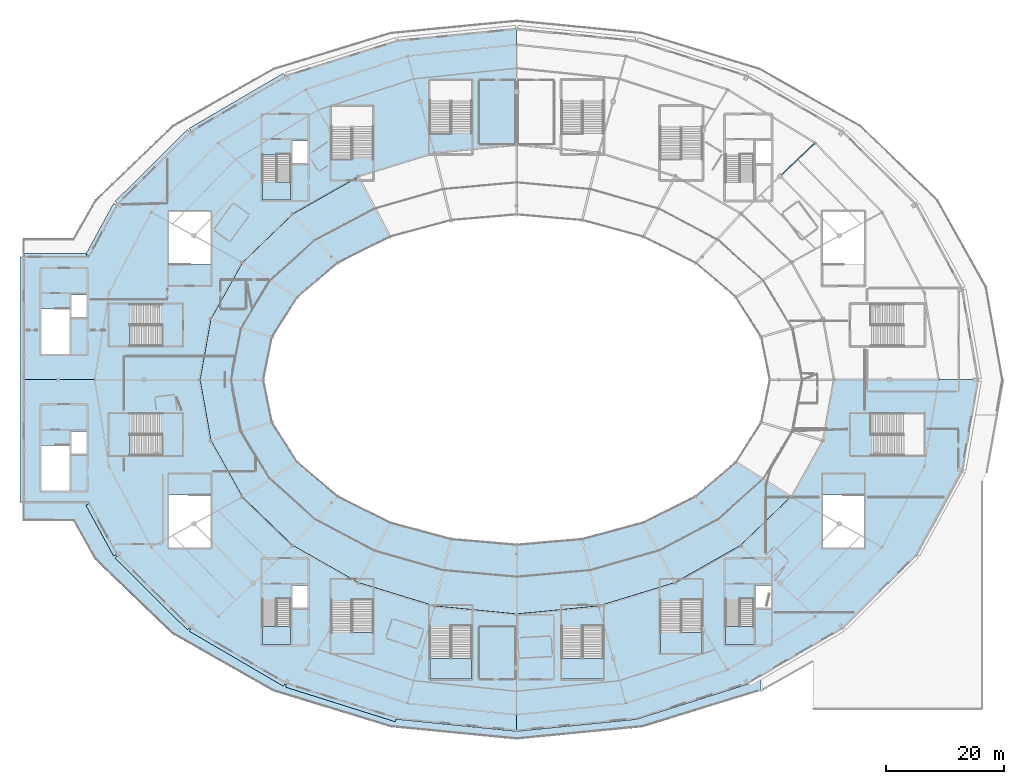
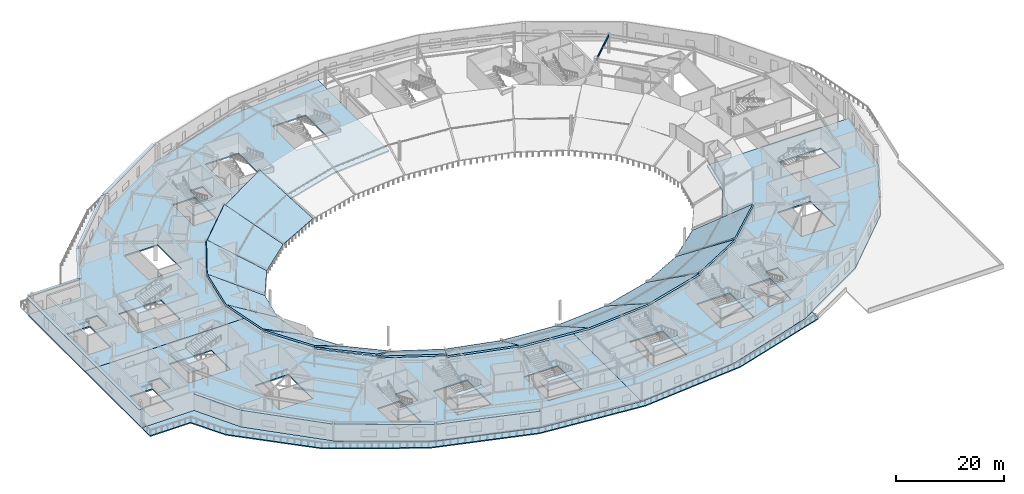
# One storey, part 16 of 63: 27 slabs, 9 plates, 1 beam, 9 elements without a shape of their own.
"""IFC4 building model written with IfcOpenShell, lengths in metres."""

from ifc_helpers import new_model, si_unit, direction, frame, origin, origin_2d, place, context, subcontext, project, spatial, polyline, rectangle, i_section, outline, extrude, material, layer, layer_set, material_profile, profile_set, type_object, element, aggregate, save


model = new_model("IFC4")

# Units and contexts
model_context = context("Model", 3, precision=1e-05, world=origin(), true_north=direction((0.0, 1.0)))
body_context = subcontext(model_context, "Body", "Model", "MODEL_VIEW")
ifc_project = project(units=[si_unit("LENGTHUNIT", "METRE"), si_unit("AREAUNIT", "SQUARE_METRE"), si_unit("VOLUMEUNIT", "CUBIC_METRE"), si_unit("PLANEANGLEUNIT", "RADIAN"), si_unit("MASSUNIT", "GRAM", prefix="KILO")], contexts=[model_context])

# Site, building, storey
site_placement = place(None, origin())
site = spatial("IfcSite", under=ifc_project, at=site_placement, CompositionType="ELEMENT")
building_placement = place(site_placement, origin())
building = spatial("IfcBuilding", under=site, at=building_placement, Name="Kalgoora Escarpment Arena", CompositionType="ELEMENT")
storey_placement = place(building_placement, frame((0.0, 0.0, 14.39990234375)))
storey = spatial("IfcBuildingStorey", under=building, at=storey_placement, Name="L03", CompositionType="ELEMENT", Elevation=14.39990234375)

# Beam
ifc_material_1 = material(Name="Structural steel AS/NZS 3679 (300 MPa)", Category="steel")
ifc_material_profile = material_profile(ifc_material_1, i_section(OverallWidth=0.19091796875, OverallDepth=0.4599609375, WebThickness=0.010009765625, FlangeThickness=0.01611328125, at=origin_2d()))
ifc_profile_set = profile_set([ifc_material_profile], Name="Structural steel AS/NZS 3679 (300 MPa)")
beam_type = type_object("IfcBeamType", Name="BM-GIRDER-460UB82.1", PredefinedType="USERDEFINED", material=ifc_profile_set)
beam_placement = place(storey_placement, frame((137.230712890625, 98.648193359375, 3.97021484375), z_axis=(0.724130144905, 0.689663347757, 0.0), x_axis=(-0.689663347757, 0.724130144905, 0.0)))
element("IfcBeam", 1, at=beam_placement, inside=storey, type_object=beam_type, Name="L03 Radial concourse girder 460UB82.1", ObjectType="GIRDER", PredefinedType="USERDEFINED", context=body_context, shape_type="SweptSolid", body=[
    extrude(i_section(OverallWidth=0.19091796875, OverallDepth=0.4599609375, WebThickness=0.010009765625, FlangeThickness=0.01611328125, at=origin_2d()), origin(), (0.0, 0.0, 1.0), 8.20263671875),
])

# Plates
ifc_material_2 = material(Name="Champagne anodised Art Deco solar brise-soleil hood", Category="aluminium")
ifc_layer_1 = layer(ifc_material_2, 0.1201171875)
ifc_layer_set_1 = layer_set([ifc_layer_1], Name="PLT-DECO-EYEBROW")
plate_type = type_object("IfcPlateType", Name="PLT-DECO-EYEBROW", PredefinedType="SHEET", material=ifc_layer_set_1)
plate_1_placement = place(storey_placement, frame((13.9423828125, 85.135009765625, 3.97998046875), z_axis=(0.0, 0.0, 1.0), x_axis=(1.0, 0.0, 0.0)))
element("IfcPlate", 2, at=plate_1_placement, inside=storey, type_object=plate_type, Name="L03 Art Deco horizontal solar brise-soleil eyebrow 054", PredefinedType="SHEET", context=body_context, shape_type="SweptSolid", body=[
    extrude(rectangle(XDim=10.784912109375, YDim=0.719970703125, at=origin_2d()), origin(), (0.0, 0.0, 1.0), 0.1201171875),
])
plate_2_placement = place(storey_placement, frame((21.7890625, 89.514404296875, 3.97998046875), z_axis=(0.0, 0.0, 1.0), x_axis=(0.478232081533, 0.878233497535, 0.0)))
element("IfcPlate", 3, at=plate_2_placement, inside=storey, type_object=plate_type, Name="L03 Art Deco horizontal solar brise-soleil eyebrow 055", PredefinedType="SHEET", context=body_context, shape_type="SweptSolid", body=[
    extrude(rectangle(XDim=9.833984375, YDim=0.719970703125, at=origin_2d()), origin(), (0.0, 0.0, 1.0), 0.1201171875),
])
plate_3_placement = place(storey_placement, frame((30.48095703125, 100.1884765625, 3.97998046875), z_axis=(0.0, 0.0, 1.0), x_axis=(0.710062491058, 0.704138664464, 0.0)))
element("IfcPlate", 4, at=plate_3_placement, inside=storey, type_object=plate_type, Name="L03 Art Deco horizontal solar brise-soleil eyebrow 056", PredefinedType="SHEET", context=body_context, shape_type="SweptSolid", body=[
    extrude(rectangle(XDim=17.2900390625, YDim=0.719970703125, at=origin_2d()), origin(), (0.0, 0.0, 1.0), 0.1201171875),
])
plate_4_placement = place(storey_placement, frame((44.892578125, 111.1533203125, 3.97998046875), z_axis=(0.0, 0.0, 1.0), x_axis=(0.863571611366, 0.504226211181, 0.0)))
element("IfcPlate", 5, at=plate_4_placement, inside=storey, type_object=plate_type, Name="L03 Art Deco horizontal solar brise-soleil eyebrow 057", PredefinedType="SHEET", context=body_context, shape_type="SweptSolid", body=[
    extrude(rectangle(XDim=18.550048828125, YDim=0.719970703125, at=origin_2d()), origin(), (0.0, 0.0, 1.0), 0.1201171875),
])
plate_5_placement = place(storey_placement, frame((62.537841796875, 9.095947265625, 3.97998046875), z_axis=(0.0, 0.0, 1.0), x_axis=(-0.953769419285, 0.300539339916, 0.0)))
element("IfcPlate", 6, at=plate_5_placement, inside=storey, type_object=plate_type, Name="L03 Art Deco horizontal solar brise-soleil eyebrow 073", PredefinedType="SHEET", context=body_context, shape_type="SweptSolid", body=[
    extrude(rectangle(XDim=19.575927734375, YDim=0.719970703125, at=origin_2d()), origin(), (0.0, 0.0, 1.0), 0.1201171875),
])
plate_6_placement = place(storey_placement, frame((44.892578125, 16.8466796875, 3.97998046875), z_axis=(0.0, 0.0, 1.0), x_axis=(-0.863571611366, 0.504226211181, 0.0)))
element("IfcPlate", 7, at=plate_6_placement, inside=storey, type_object=plate_type, Name="L03 Art Deco horizontal solar brise-soleil eyebrow 074", PredefinedType="SHEET", context=body_context, shape_type="SweptSolid", body=[
    extrude(rectangle(XDim=18.550048828125, YDim=0.719970703125, at=origin_2d()), origin(), (0.0, 0.0, 1.0), 0.1201171875),
])
plate_7_placement = place(storey_placement, frame((30.48095703125, 27.8115234375, 3.97998046875), z_axis=(0.0, 0.0, 1.0), x_axis=(-0.710062491058, 0.704138664464, 0.0)))
element("IfcPlate", 8, at=plate_7_placement, inside=storey, type_object=plate_type, Name="L03 Art Deco horizontal solar brise-soleil eyebrow 075", PredefinedType="SHEET", context=body_context, shape_type="SweptSolid", body=[
    extrude(rectangle(XDim=17.2900390625, YDim=0.719970703125, at=origin_2d()), origin(), (0.0, 0.0, 1.0), 0.1201171875),
])
plate_8_placement = place(storey_placement, frame((21.7890625, 38.485595703125, 3.97998046875), z_axis=(0.0, 0.0, 1.0), x_axis=(-0.478232081533, 0.878233497535, 0.0)))
element("IfcPlate", 9, at=plate_8_placement, inside=storey, type_object=plate_type, Name="L03 Art Deco horizontal solar brise-soleil eyebrow 076", PredefinedType="SHEET", context=body_context, shape_type="SweptSolid", body=[
    extrude(rectangle(XDim=9.833984375, YDim=0.719970703125, at=origin_2d()), origin(), (0.0, 0.0, 1.0), 0.1201171875),
])
plate_9_placement = place(storey_placement, frame((8.264892578125, 64.0, 3.97998046875), z_axis=(0.0, 0.0, 1.0), x_axis=(0.0, 1.0, 0.0)))
element("IfcPlate", 10, at=plate_9_placement, inside=storey, type_object=plate_type, Name="L03 Art Deco horizontal solar brise-soleil eyebrow 078", PredefinedType="SHEET", context=body_context, shape_type="SweptSolid", body=[
    extrude(rectangle(XDim=41.699951171875, YDim=0.719970703125, at=origin_2d()), origin(), (0.0, 0.0, 1.0), 0.1201171875),
])

# Slabs
ifc_material_3 = material(Name="Concrete N40 (fc' 40 MPa)", Category="concrete")
ifc_layer_2 = layer(ifc_material_3, 0.280029296875)
ifc_layer_set_2 = layer_set([ifc_layer_2], Name="SLB-CONC-280")
slab_type_1 = type_object("IfcSlabType", Name="SLB-CONC-280", PredefinedType="FLOOR", material=ifc_layer_set_2)
slab_1_placement = place(storey_placement, frame((0.0, 0.0, -0.27978515625)))
element("IfcSlab", 11, at=slab_1_placement, inside=storey, type_object=slab_type_1, Name="L03 concourse ring SW floor slab", PredefinedType="FLOOR", context=body_context, shape_type="SweptSolid", body=[
    extrude(outline(polyline([(72.056884765625, 6.237548828125), (53.10009765625, 12.211669921875), (36.8212890625, 21.715087890625), (24.330322265625, 34.10009765625), (19.48486328125, 43.0), (8.39990234375, 43.0), (8.39990234375, 64.0), (44.0, 64.0), (45.649169921875, 55.35546875), (50.484375, 47.300048828125), (58.176025390625, 40.382568359375), (68.199951171875, 35.07470703125), (79.873291015625, 31.738037109375), (92.39990234375, 30.60009765625), (92.39990234375, 4.199951171875), (72.056884765625, 6.237548828125)]), holes=[polyline([(60.85009765625, 26.35009765625), (60.85009765625, 17.449951171875), (67.949951171875, 17.449951171875), (67.949951171875, 26.35009765625), (60.85009765625, 26.35009765625)]), polyline([(53.949951171875, 26.64990234375), (49.14990234375, 26.64990234375), (49.14990234375, 18.949951171875), (53.949951171875, 18.949951171875), (53.949951171875, 26.64990234375)]), polyline([(56.85009765625, 29.0), (54.25, 29.0), (54.25, 25.199951171875), (56.85009765625, 25.199951171875), (56.85009765625, 29.0)]), polyline([(40.35009765625, 44.35009765625), (33.25, 44.35009765625), (33.25, 35.449951171875), (40.35009765625, 35.449951171875), (40.35009765625, 44.35009765625)]), polyline([(16.35009765625, 52.85009765625), (11.550048828125, 52.85009765625), (11.550048828125, 45.14990234375), (16.35009765625, 45.14990234375), (16.35009765625, 52.85009765625)]), polyline([(19.25, 55.199951171875), (16.64990234375, 55.199951171875), (16.64990234375, 51.39990234375), (19.25, 51.39990234375), (19.25, 55.199951171875)]), polyline([(31.949951171875, 58.25), (23.050048828125, 58.25), (23.050048828125, 51.14990234375), (31.949951171875, 51.14990234375), (31.949951171875, 58.25)]), polyline([(77.64990234375, 21.949951171875), (77.64990234375, 13.050048828125), (84.75, 13.050048828125), (84.75, 21.949951171875), (77.64990234375, 21.949951171875)])]), origin(), (0.0, 0.0, 1.0), 0.27978515625),
])
ifc_material_4 = material(Name="Concrete N50 (fc' 50 MPa)", Category="concrete")
ifc_layer_3 = layer(ifc_material_4, 0.31005859375)
ifc_layer_set_3 = layer_set([ifc_layer_3], Name="SLB-SKY-310")
slab_type_2 = type_object("IfcSlabType", Name="SLB-SKY-310", PredefinedType="FLOOR", material=ifc_layer_set_3)
slab_2_placement = place(storey_placement, frame((0.0, 0.0, -0.309814453125)))
element("IfcSlab", 12, at=slab_2_placement, inside=storey, type_object=slab_type_2, Name="L03 concourse ring NW floor slab", PredefinedType="FLOOR", context=body_context, shape_type="SweptSolid", body=[
    extrude(outline(polyline([(24.330322265625, 93.89990234375), (36.8212890625, 106.284912109375), (53.10009765625, 115.788330078125), (72.056884765625, 121.762451171875), (92.39990234375, 123.800048828125), (92.39990234375, 97.39990234375), (79.873291015625, 96.261962890625), (68.199951171875, 92.92529296875), (58.176025390625, 87.617431640625), (50.484375, 80.699951171875), (45.649169921875, 72.64453125), (44.0, 64.0), (8.39990234375, 64.0), (8.39990234375, 85.0), (19.48486328125, 85.0), (24.330322265625, 93.89990234375)]), holes=[polyline([(11.550048828125, 76.050048828125), (11.550048828125, 68.35009765625), (16.35009765625, 68.35009765625), (16.35009765625, 76.050048828125), (11.550048828125, 76.050048828125)]), polyline([(31.949951171875, 76.85009765625), (23.050048828125, 76.85009765625), (23.050048828125, 69.75), (31.949951171875, 69.75), (31.949951171875, 76.85009765625)]), polyline([(19.25, 78.39990234375), (16.64990234375, 78.39990234375), (16.64990234375, 74.60009765625), (19.25, 74.60009765625), (19.25, 78.39990234375)]), polyline([(40.35009765625, 92.550048828125), (33.25, 92.550048828125), (33.25, 83.64990234375), (40.35009765625, 83.64990234375), (40.35009765625, 92.550048828125)]), polyline([(53.949951171875, 102.25), (49.14990234375, 102.25), (49.14990234375, 94.550048828125), (53.949951171875, 94.550048828125), (53.949951171875, 102.25)]), polyline([(56.85009765625, 104.60009765625), (54.25, 104.60009765625), (54.25, 100.800048828125), (56.85009765625, 100.800048828125), (56.85009765625, 104.60009765625)]), polyline([(67.949951171875, 110.550048828125), (60.85009765625, 110.550048828125), (60.85009765625, 101.64990234375), (67.949951171875, 101.64990234375), (67.949951171875, 110.550048828125)]), polyline([(84.75, 114.949951171875), (77.64990234375, 114.949951171875), (77.64990234375, 106.050048828125), (84.75, 106.050048828125), (84.75, 114.949951171875)])]), origin(), (0.0, 0.0, 1.0), 0.309814453125),
])
ifc_material_5 = material(Name="Concrete N50 (fc' 50 MPa)", Category="concrete")
ifc_layer_4 = layer(ifc_material_5, 0.320068359375)
ifc_layer_set_4 = layer_set([ifc_layer_4], Name="SLB-SKY-320")
slab_type_3 = type_object("IfcSlabType", Name="SLB-SKY-320", PredefinedType="FLOOR", material=ifc_layer_set_4)
slab_3_placement = place(storey_placement, frame((0.0, 0.0, -0.31982421875)))
element("IfcSlab", 13, at=slab_3_placement, inside=storey, type_object=slab_type_3, Name="L03 concourse ring SE floor slab", PredefinedType="FLOOR", context=body_context, shape_type="SweptSolid", body=[
    extrude(outline(polyline([(168.32177734375, 48.522705078125), (160.469482421875, 34.10009765625), (147.978515625, 21.715087890625), (131.699951171875, 12.211669921875), (112.7431640625, 6.237548828125), (92.39990234375, 4.199951171875), (92.39990234375, 30.60009765625), (104.9267578125, 31.738037109375), (116.60009765625, 35.07470703125), (126.6240234375, 40.382568359375), (134.315673828125, 47.300048828125), (139.15087890625, 55.35546875), (140.800048828125, 64.0), (171.0, 64.0), (168.32177734375, 48.522705078125)]), holes=[polyline([(107.14990234375, 21.949951171875), (100.050048828125, 21.949951171875), (100.050048828125, 13.050048828125), (107.14990234375, 13.050048828125), (107.14990234375, 21.949951171875)]), polyline([(123.949951171875, 26.35009765625), (116.85009765625, 26.35009765625), (116.85009765625, 17.449951171875), (123.949951171875, 17.449951171875), (123.949951171875, 26.35009765625)]), polyline([(132.75, 26.64990234375), (127.949951171875, 26.64990234375), (127.949951171875, 18.949951171875), (132.75, 18.949951171875), (132.75, 26.64990234375)]), polyline([(135.64990234375, 29.0), (133.050048828125, 29.0), (133.050048828125, 25.199951171875), (135.64990234375, 25.199951171875), (135.64990234375, 29.0)]), polyline([(151.550048828125, 44.35009765625), (144.449951171875, 44.35009765625), (144.449951171875, 35.449951171875), (151.550048828125, 35.449951171875), (151.550048828125, 44.35009765625)]), polyline([(161.75, 58.25), (152.85009765625, 58.25), (152.85009765625, 51.14990234375), (161.75, 51.14990234375), (161.75, 58.25)])]), origin(), (0.0, 0.0, 1.0), 0.31982421875),
])

# Stair, slab
ifc_material_6 = material(Name="Concrete N40 (fc' 40 MPa)", Category="concrete")
stair_type_1 = type_object("IfcStairType", Name="STR-EXIT-3", PredefinedType="HALF_TURN_STAIR", material=ifc_material_6)
stair_1_placement = place(storey_placement, origin())
stair_1 = element("IfcStair", 14, at=stair_1_placement, inside=storey, type_object=stair_type_1, Name="Fire-isolated exit stair ST03 (L03)", PredefinedType="HALF_TURN_STAIR")
ifc_material_7 = material(Name="Concrete N40 (fc' 40 MPa)", Category="concrete")
ifc_layer_5 = layer(ifc_material_7, 0.219970703125)
ifc_layer_set_5 = layer_set([ifc_layer_5], Name="SLB-ST-LAND-220")
slab_type_4 = type_object("IfcSlabType", Name="SLB-ST-LAND-220", PredefinedType="LANDING", material=ifc_layer_set_5)
slab_4_placement = place(storey_placement, frame((0.0, 0.0, 2.030029296875)))
slab_4 = element("IfcSlab", 15, at=slab_4_placement, type_object=slab_type_4, Name="ST03 L03 half-landing", PredefinedType="LANDING", context=body_context, shape_type="SweptSolid", body=[
    extrude(outline(polyline([(53.949951171875, 97.639892578125), (53.949951171875, 94.550048828125), (49.14990234375, 94.550048828125), (49.14990234375, 97.639892578125), (53.949951171875, 97.639892578125)])), origin(), (0.0, 0.0, 1.0), 0.219970703125),
])
aggregate(stair_1, [slab_4])

ifc_material_8 = material(Name="Concrete N40 (fc' 40 MPa)", Category="concrete")
stair_type_2 = type_object("IfcStairType", Name="STR-EXIT-1", PredefinedType="HALF_TURN_STAIR", material=ifc_material_8)
stair_2_placement = place(storey_placement, origin())
stair_2 = element("IfcStair", 16, at=stair_2_placement, inside=storey, type_object=stair_type_2, Name="Fire-isolated exit stair ST05 (L03)", PredefinedType="HALF_TURN_STAIR")
slab_5_placement = place(storey_placement, frame((0.0, 0.0, 2.030029296875)))
slab_5 = element("IfcSlab", 17, at=slab_5_placement, type_object=slab_type_4, Name="ST05 L03 half-landing", PredefinedType="LANDING", context=body_context, shape_type="SweptSolid", body=[
    extrude(outline(polyline([(53.949951171875, 22.0400390625), (53.949951171875, 18.949951171875), (49.14990234375, 18.949951171875), (49.14990234375, 22.0400390625), (53.949951171875, 22.0400390625)])), origin(), (0.0, 0.0, 1.0), 0.219970703125),
])
aggregate(stair_2, [slab_5])

ifc_material_9 = material(Name="Concrete N40 (fc' 40 MPa)", Category="concrete")
stair_type_3 = type_object("IfcStairType", Name="STR-EXIT-2", PredefinedType="HALF_TURN_STAIR", material=ifc_material_9)
stair_3_placement = place(storey_placement, origin())
stair_3 = element("IfcStair", 18, at=stair_3_placement, inside=storey, type_object=stair_type_3, Name="Fire-isolated exit stair ST06 (L03)", PredefinedType="HALF_TURN_STAIR")
slab_6_placement = place(storey_placement, frame((0.0, 0.0, 2.030029296875)))
slab_6 = element("IfcSlab", 19, at=slab_6_placement, type_object=slab_type_4, Name="ST06 L03 half-landing", PredefinedType="LANDING", context=body_context, shape_type="SweptSolid", body=[
    extrude(outline(polyline([(132.75, 22.0400390625), (132.75, 18.949951171875), (127.949951171875, 18.949951171875), (127.949951171875, 22.0400390625), (132.75, 22.0400390625)])), origin(), (0.0, 0.0, 1.0), 0.219970703125),
])
aggregate(stair_3, [slab_6])

ifc_material_10 = material(Name="Precast concrete N50 (fc' 50 MPa)", Category="concrete")
stair_type_4 = type_object("IfcStairType", Name="STR-STAD-1", PredefinedType="HALF_TURN_STAIR", material=ifc_material_10)
stair_4_placement = place(storey_placement, origin())
stair_4 = element("IfcStair", 20, at=stair_4_placement, inside=storey, type_object=stair_type_4, Name="Fire-isolated exit stair ST13 (L03)", PredefinedType="HALF_TURN_STAIR")
slab_7_placement = place(storey_placement, frame((0.0, 0.0, 2.030029296875)))
slab_7 = element("IfcSlab", 21, at=slab_7_placement, type_object=slab_type_4, Name="ST13 L03 half-landing", PredefinedType="LANDING", context=body_context, shape_type="SweptSolid", body=[
    extrude(outline(polyline([(67.949951171875, 21.0), (67.949951171875, 17.449951171875), (60.85009765625, 17.449951171875), (60.85009765625, 21.0), (67.949951171875, 21.0)])), origin(), (0.0, 0.0, 1.0), 0.219970703125),
])
aggregate(stair_4, [slab_7])

ifc_material_11 = material(Name="Precast concrete N50 (fc' 50 MPa)", Category="concrete")
stair_type_5 = type_object("IfcStairType", Name="STR-STAD-2", PredefinedType="HALF_TURN_STAIR", material=ifc_material_11)
stair_5_placement = place(storey_placement, origin())
stair_5 = element("IfcStair", 22, at=stair_5_placement, inside=storey, type_object=stair_type_5, Name="Fire-isolated exit stair ST14 (L03)", PredefinedType="HALF_TURN_STAIR")
slab_8_placement = place(storey_placement, frame((0.0, 0.0, 2.030029296875)))
slab_8 = element("IfcSlab", 23, at=slab_8_placement, type_object=slab_type_4, Name="ST14 L03 half-landing", PredefinedType="LANDING", context=body_context, shape_type="SweptSolid", body=[
    extrude(outline(polyline([(84.75, 16.60009765625), (84.75, 13.050048828125), (77.64990234375, 13.050048828125), (77.64990234375, 16.60009765625), (84.75, 16.60009765625)])), origin(), (0.0, 0.0, 1.0), 0.219970703125),
])
aggregate(stair_5, [slab_8])

ifc_material_12 = material(Name="Precast concrete N50 (fc' 50 MPa)", Category="concrete")
stair_type_6 = type_object("IfcStairType", Name="STR-STAD-3", PredefinedType="HALF_TURN_STAIR", material=ifc_material_12)
stair_6_placement = place(storey_placement, origin())
stair_6 = element("IfcStair", 24, at=stair_6_placement, inside=storey, type_object=stair_type_6, Name="Fire-isolated exit stair ST15 (L03)", PredefinedType="HALF_TURN_STAIR")
slab_9_placement = place(storey_placement, frame((0.0, 0.0, 2.030029296875)))
slab_9 = element("IfcSlab", 25, at=slab_9_placement, type_object=slab_type_4, Name="ST15 L03 half-landing", PredefinedType="LANDING", context=body_context, shape_type="SweptSolid", body=[
    extrude(outline(polyline([(107.14990234375, 16.60009765625), (107.14990234375, 13.050048828125), (100.050048828125, 13.050048828125), (100.050048828125, 16.60009765625), (107.14990234375, 16.60009765625)])), origin(), (0.0, 0.0, 1.0), 0.219970703125),
])
aggregate(stair_6, [slab_9])

ifc_material_13 = material(Name="Precast concrete N50 (fc' 50 MPa)", Category="concrete")
stair_type_7 = type_object("IfcStairType", Name="STR-STAD-4", PredefinedType="HALF_TURN_STAIR", material=ifc_material_13)
stair_7_placement = place(storey_placement, origin())
stair_7 = element("IfcStair", 26, at=stair_7_placement, inside=storey, type_object=stair_type_7, Name="Fire-isolated exit stair ST16 (L03)", PredefinedType="HALF_TURN_STAIR")
slab_10_placement = place(storey_placement, frame((0.0, 0.0, 2.030029296875)))
slab_10 = element("IfcSlab", 27, at=slab_10_placement, type_object=slab_type_4, Name="ST16 L03 half-landing", PredefinedType="LANDING", context=body_context, shape_type="SweptSolid", body=[
    extrude(outline(polyline([(123.949951171875, 21.0), (123.949951171875, 17.449951171875), (116.85009765625, 17.449951171875), (116.85009765625, 21.0), (123.949951171875, 21.0)])), origin(), (0.0, 0.0, 1.0), 0.219970703125),
])
aggregate(stair_7, [slab_10])

stair_8_placement = place(storey_placement, origin())
stair_8 = element("IfcStair", 28, at=stair_8_placement, inside=storey, type_object=stair_type_4, Name="Fire-isolated exit stair ST17 (L03)", PredefinedType="HALF_TURN_STAIR")
slab_11_placement = place(storey_placement, frame((0.0, 0.0, 2.030029296875)))
slab_11 = element("IfcSlab", 29, at=slab_11_placement, type_object=slab_type_4, Name="ST17 L03 half-landing", PredefinedType="LANDING", context=body_context, shape_type="SweptSolid", body=[
    extrude(outline(polyline([(26.60009765625, 69.75), (23.050048828125, 69.75), (23.050048828125, 76.85009765625), (26.60009765625, 76.85009765625), (26.60009765625, 69.75)])), origin(), (0.0, 0.0, 1.0), 0.219970703125),
])
aggregate(stair_8, [slab_11])

stair_9_placement = place(storey_placement, origin())
stair_9 = element("IfcStair", 30, at=stair_9_placement, inside=storey, type_object=stair_type_5, Name="Fire-isolated exit stair ST18 (L03)", PredefinedType="HALF_TURN_STAIR")
slab_12_placement = place(storey_placement, frame((0.0, 0.0, 2.030029296875)))
slab_12 = element("IfcSlab", 31, at=slab_12_placement, type_object=slab_type_4, Name="ST18 L03 half-landing", PredefinedType="LANDING", context=body_context, shape_type="SweptSolid", body=[
    extrude(outline(polyline([(26.60009765625, 51.14990234375), (23.050048828125, 51.14990234375), (23.050048828125, 58.25), (26.60009765625, 58.25), (26.60009765625, 51.14990234375)])), origin(), (0.0, 0.0, 1.0), 0.219970703125),
])
aggregate(stair_9, [slab_12])

# Slabs
ifc_material_14 = material(Name="Concrete N40 (fc' 40 MPa)", Category="concrete")
ifc_layer_6 = layer(ifc_material_14, 0.235107421875)
ifc_layer_set_6 = layer_set([ifc_layer_6], Name="SLB-TERR-235")
slab_type_5 = type_object("IfcSlabType", Name="SLB-TERR-235", PredefinedType="FLOOR", material=ifc_layer_set_6)
slab_13_placement = place(storey_placement, frame((0.0, 0.0, -0.23486328125)))
element("IfcSlab", 32, at=slab_13_placement, inside=storey, type_object=slab_type_5, Name="L03 Upper Planted Elliptical Garden Terrace terrace slab", PredefinedType="FLOOR", context=body_context, shape_type="SweptSolid", body=[
    extrude(outline(polyline([(92.39990234375, 2.800048828125), (70.9697265625, 4.88525390625), (51.0, 10.999267578125), (33.8515625, 20.72509765625), (20.693115234375, 33.39990234375), (16.994384765625, 40.0), (8.39990234375, 40.0), (8.39990234375, 43.0), (19.48486328125, 43.0), (24.330322265625, 34.10009765625), (36.8212890625, 21.715087890625), (53.10009765625, 12.211669921875), (72.056884765625, 6.237548828125), (92.39990234375, 4.199951171875), (112.7431640625, 6.237548828125), (131.699951171875, 12.211669921875), (134.0, 13.554443359375), (134.0, 11.112548828125), (113.830078125, 4.88525390625), (92.39990234375, 2.800048828125)])), origin(), (0.0, 0.0, 1.0), 0.23486328125),
])
ifc_material_15 = material(Name="Precast concrete N50 (fc' 50 MPa)", Category="concrete")
ifc_layer_7 = layer(ifc_material_15, 0.330078125)
ifc_layer_set_7 = layer_set([ifc_layer_7], Name="SLB-TIER-UPP-A")
slab_type_6 = type_object("IfcSlabType", Name="SLB-TIER-UPP-A", PredefinedType="USERDEFINED", material=ifc_layer_set_7)
slab_14_placement = place(storey_placement, frame((70.89990234375, 88.248779296875, -2.25), z_axis=(0.221721355642, -0.443761160947, 0.868283175288), x_axis=(-0.894551195058, -0.446965501341, -5.558232e-06)))
element("IfcSlab", 33, at=slab_14_placement, inside=storey, type_object=slab_type_6, Name="Stand Upper Tier Sector 09", ObjectType="SEATING TIER", PredefinedType="USERDEFINED", context=body_context, shape_type="SweptSolid", body=[
    extrude(outline(polyline([(0.0, 0.0), (9.955306926166958, 8.881784197001252e-16), (13.073184425424751, -12.581978173739957), (0.26587615378400997, -13.36522698389748), (0.0, 0.0)])), origin(), (0.0, 0.0, -1.0), 0.330078125),
])
slab_15_placement = place(storey_placement, frame((55.160888671875, 78.0, -2.25), z_axis=(0.432439963899, -0.275067239366, 0.858681367825), x_axis=(-0.536711703686, -0.843765694439, 3.830903e-06)))
element("IfcSlab", 34, at=slab_15_placement, inside=storey, type_object=slab_type_6, Name="Stand Upper Tier Sector 11", ObjectType="SEATING TIER", PredefinedType="USERDEFINED", context=body_context, shape_type="SweptSolid", body=[
    extrude(outline(polyline([(0.0, 0.0), (8.003624340875707, -4.440892098500626e-16), (11.040561137931334, -12.21528952500925), (0.04387559789165021, -12.936644873013785), (0.0, 0.0)])), origin(), (0.0, 0.0, -1.0), 0.330078125),
])
slab_16_placement = place(storey_placement, frame((49.39990234375, 64.0, -2.25), z_axis=(0.518555592007, 0.104852018696, 0.848590685887), x_axis=(0.198191384845, -0.980163340965, -1.350412e-06)))
element("IfcSlab", 35, at=slab_16_placement, inside=storey, type_object=slab_type_6, Name="Stand Upper Tier Sector 13", ObjectType="SEATING TIER", PredefinedType="USERDEFINED", context=body_context, shape_type="SweptSolid", body=[
    extrude(outline(polyline([(0.0, 0.0), (7.393489536547766, 2.220446049250313e-16), (8.322687035439232, -12.82150085358129), (-2.1503564470286247, -12.532113623633439), (0.0, 0.0)])), origin(), (0.0, 0.0, -1.0), 0.330078125),
])
slab_17_placement = place(storey_placement, frame((55.160888671875, 50.0, -2.25), z_axis=(0.343179016823, 0.404397153582, 0.84775651256), x_axis=(0.762457207853, -0.647038643507, 1.498935e-06)))
element("IfcSlab", 36, at=slab_17_placement, inside=storey, type_object=slab_type_6, Name="Stand Upper Tier Sector 15", ObjectType="SEATING TIER", PredefinedType="USERDEFINED", context=body_context, shape_type="SweptSolid", body=[
    extrude(outline(polyline([(0.0, 0.0), (8.962472203861301, 8.881784197001252e-16), (8.534454414688422, -13.391710248476503), (-3.330671745601866, -12.500613239462993), (0.0, 0.0)])), origin(), (0.0, 0.0, -1.0), 0.330078125),
])
slab_18_placement = place(storey_placement, frame((70.89990234375, 39.751220703125, -2.25), z_axis=(0.131605442787, 0.487923983768, 0.86290798669), x_axis=(0.965498607881, -0.260408214426, -6.325601e-06)))
element("IfcSlab", 37, at=slab_18_placement, inside=storey, type_object=slab_type_6, Name="Stand Upper Tier Sector 17", ObjectType="SEATING TIER", PredefinedType="USERDEFINED", context=body_context, shape_type="SweptSolid", body=[
    extrude(outline(polyline([(0.0, 0.0), (10.74143366133796, 4.440892098500626e-16), (11.01087578793163, -13.65451505318791), (-2.565320304263464, -13.119417448753087), (0.0, 0.0)])), origin(), (0.0, 0.0, -1.0), 0.330078125),
])
slab_19_placement = place(storey_placement, frame((92.39990234375, 36.0, -2.25), z_axis=(-0.041819385281, 0.487842156523, 0.871929566727), x_axis=(0.996345579279, 0.085413620964, -2.070574e-06)))
element("IfcSlab", 38, at=slab_19_placement, inside=storey, type_object=slab_type_6, Name="Stand Upper Tier Sector 19", ObjectType="SEATING TIER", PredefinedType="USERDEFINED", context=body_context, shape_type="SweptSolid", body=[
    extrude(outline(polyline([(0.0, 0.0), (11.1702163104874, 1.1102230246251565e-16), (12.990377245897077, -13.354630258129024), (-1.0121734777592686, -13.54100818725967), (0.0, 0.0)])), origin(), (0.0, 0.0, -1.0), 0.330078125),
])
slab_20_placement = place(storey_placement, frame((113.89990234375, 39.751220703125, -2.25), z_axis=(-0.221718487734, 0.443760877699, 0.868284052382), x_axis=(0.894555429388, 0.446957026729, -2.954652e-06)))
element("IfcSlab", 39, at=slab_20_placement, inside=storey, type_object=slab_type_6, Name="Stand Upper Tier Sector 21", ObjectType="SEATING TIER", PredefinedType="USERDEFINED", context=body_context, shape_type="SweptSolid", body=[
    extrude(outline(polyline([(0.0, 0.0), (9.955525322852681, -4.440892098500626e-16), (13.073522568572612, -12.581948499475079), (0.26622175180824537, -13.365319200529724), (0.0, 0.0)])), origin(), (0.0, 0.0, -1.0), 0.330078125),
])
ifc_material_16 = material(Name="Precast concrete N50 (fc' 50 MPa)", Category="concrete")
ifc_layer_8 = layer(ifc_material_16, 0.35009765625)
ifc_layer_set_8 = layer_set([ifc_layer_8], Name="SLB-TIER-UPP-B")
slab_type_7 = type_object("IfcSlabType", Name="SLB-TIER-UPP-B", PredefinedType="USERDEFINED", material=ifc_layer_set_8)
slab_21_placement = place(storey_placement, frame((61.994384765625, 83.799072265625, -2.25), z_axis=(0.326303536804, -0.384508624528, 0.863527138851), x_axis=(-0.762456577633, -0.647039386146, 6.2023e-08)))
element("IfcSlab", 40, at=slab_21_placement, inside=storey, type_object=slab_type_7, Name="Stand Upper Tier Sector 10", ObjectType="SEATING TIER", PredefinedType="USERDEFINED", context=body_context, shape_type="SweptSolid", body=[
    extrude(outline(polyline([(0.0, 0.0), (8.962472203875288, -4.440892098500626e-16), (12.293143949443984, -12.272327969286351), (0.42801778920018435, -13.147127350236552), (0.0, 0.0)])), origin(), (0.0, 0.0, -1.0), 0.35009765625),
])
slab_22_placement = place(storey_placement, frame((50.865234375, 71.246826171875, -2.25), z_axis=(0.510047366335, -0.103133452583, 0.85394096696), x_axis=(-0.198192310774, -0.98016315374, -1.68632e-07)))
element("IfcSlab", 41, at=slab_22_placement, inside=storey, type_object=slab_type_7, Name="Stand Upper Tier Sector 12", ObjectType="SEATING TIER", PredefinedType="USERDEFINED", context=body_context, shape_type="SweptSolid", body=[
    extrude(outline(polyline([(0.0, 0.0), (7.3934895365569835, 2.220446049250313e-16), (9.543845983564493, -12.453584370817016), (-0.9291974988718719, -12.741178239005341), (0.0, 0.0)])), origin(), (0.0, 0.0, -1.0), 0.35009765625),
])
slab_23_placement = place(storey_placement, frame((50.865234375, 56.753173828125, -2.25), z_axis=(0.450831072906, 0.286773098311, 0.845288432305), x_axis=(0.536714429817, -0.843763960373, 1.494071e-06)))
element("IfcSlab", 42, at=slab_23_placement, inside=storey, type_object=slab_type_7, Name="Stand Upper Tier Sector 14", ObjectType="SEATING TIER", PredefinedType="USERDEFINED", context=body_context, shape_type="SweptSolid", body=[
    extrude(outline(polyline([(0.0, 0.0), (8.003624340942858, -4.440892098500626e-16), (7.9597487429172755, -13.141646339181541), (-3.0369367968958483, -12.408789054596543), (0.0, 0.0)])), origin(), (0.0, 0.0, -1.0), 0.35009765625),
])
slab_24_placement = place(storey_placement, frame((61.994384765625, 44.200927734375, -2.25), z_axis=(0.231893401182, 0.464117127711, 0.85488054268), x_axis=(0.894551044892, -0.446965801891, 4.678815e-06)))
element("IfcSlab", 43, at=slab_24_placement, inside=storey, type_object=slab_type_7, Name="Stand Upper Tier Sector 16", ObjectType="SEATING TIER", PredefinedType="USERDEFINED", context=body_context, shape_type="SweptSolid", body=[
    extrude(outline(polyline([(0.0, 0.0), (9.95530692622183, 0.0), (9.689430772329544, -13.574760319470037), (-3.1178774991308646, -12.779240849465785), (0.0, 0.0)])), origin(), (0.0, 0.0, -1.0), 0.35009765625),
])
slab_25_placement = place(storey_placement, frame((81.270751953125, 36.9541015625, -2.25), z_axis=(0.04226366354, 0.492993462877, 0.86900588508), x_axis=(0.996345347618, -0.085416323261, 5.57475e-07)))
element("IfcSlab", 44, at=slab_25_placement, inside=storey, type_object=slab_type_7, Name="Stand Upper Tier Sector 18", ObjectType="SEATING TIER", PredefinedType="USERDEFINED", context=body_context, shape_type="SweptSolid", body=[
    extrude(outline(polyline([(0.0, 0.0), (11.169973062127866, -1.1102230246251565e-16), (12.18216858191753, -13.586551503159003), (-1.820139196582421, -13.399577095770535), (0.0, 0.0)])), origin(), (0.0, 0.0, -1.0), 0.35009765625),
])
slab_26_placement = place(storey_placement, frame((103.529296875, 36.9541015625, -2.25), z_axis=(-0.127706813135, 0.473477312278, 0.871498826526), x_axis=(0.96549773974, 0.260411433224, 1.989608e-06)))
element("IfcSlab", 45, at=slab_26_placement, inside=storey, type_object=slab_type_7, Name="Stand Upper Tier Sector 20", ObjectType="SEATING TIER", PredefinedType="USERDEFINED", context=body_context, shape_type="SweptSolid", body=[
    extrude(outline(polyline([(0.0, 0.0), (10.74119794411763, -4.440892098500626e-16), (13.306686959122286, -12.990143090202547), (-0.2695118654792597, -13.519945872460067), (0.0, 0.0)])), origin(), (0.0, 0.0, -1.0), 0.35009765625),
])
slab_27_placement = place(storey_placement, frame((122.8056640625, 44.200927734375, -2.25), z_axis=(-0.32630796114, 0.384507760867, 0.86352585157), x_axis=(0.762455294535, 0.647040898107, 3.457568e-06)))
element("IfcSlab", 46, at=slab_27_placement, inside=storey, type_object=slab_type_7, Name="Stand Upper Tier Sector 22", ObjectType="SEATING TIER", PredefinedType="USERDEFINED", context=body_context, shape_type="SweptSolid", body=[
    extrude(outline(polyline([(0.0, 0.0), (8.962472203803468, -8.881784197001252e-16), (12.292957802911376, -12.272191559284494), (0.42801778905997356, -13.147127350192157), (0.0, 0.0)])), origin(), (0.0, 0.0, -1.0), 0.35009765625),
])

save(model, "model.ifc")
